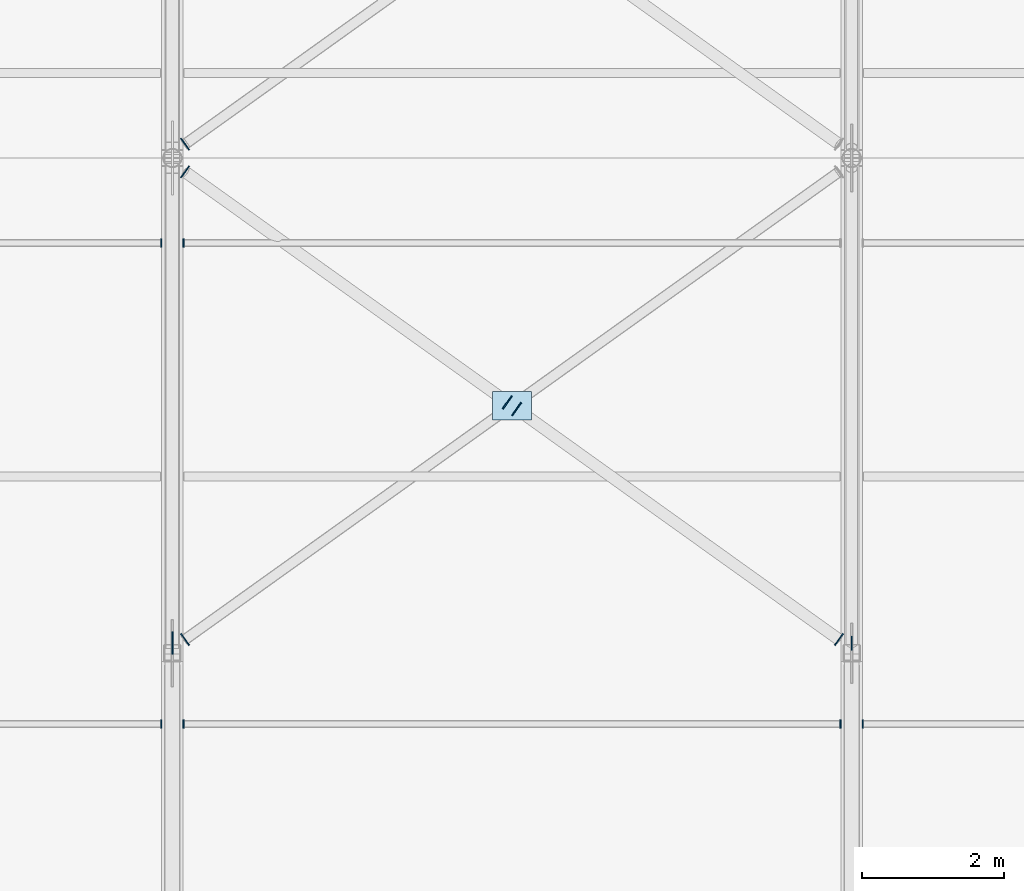
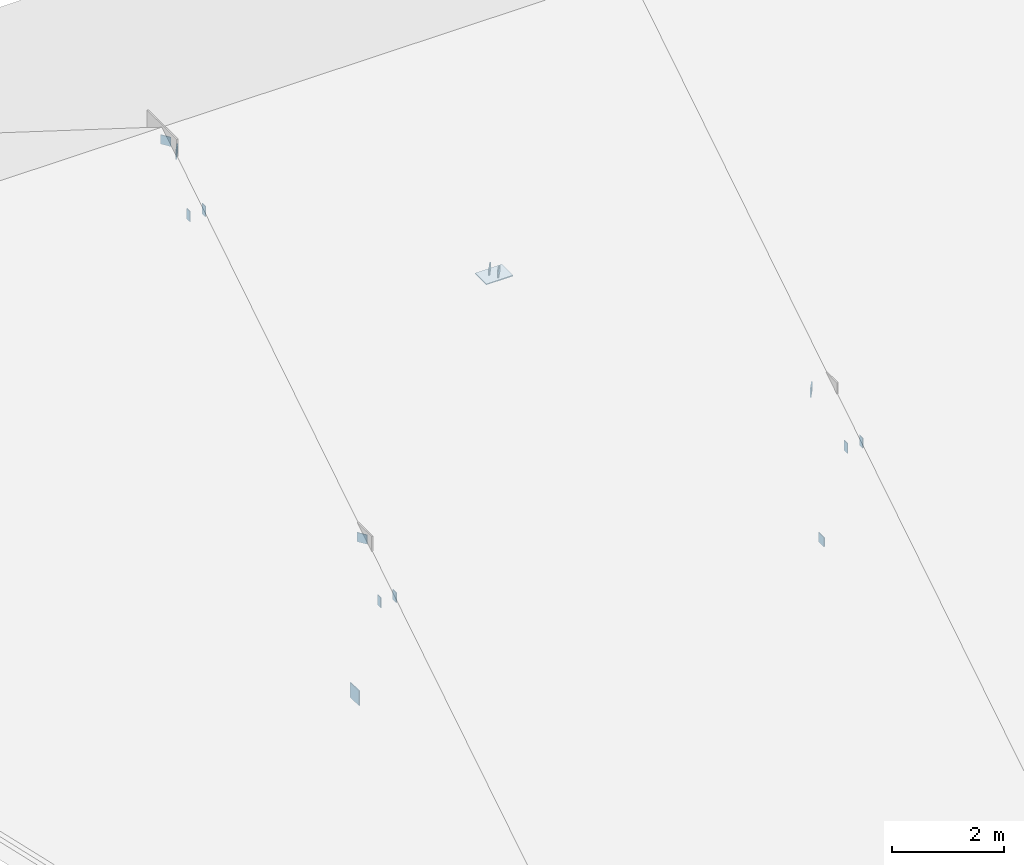
# One storey, part 40 of 66: 15 plates.
"""IFC4 building model written with IfcOpenShell, lengths in metres."""

from ifc_helpers import new_model, si_unit, direction, frame, origin, origin_2d, place, context, subcontext, project, spatial, rectangle, extrude, material, layer, layer_set, type_object, element, save


model = new_model("IFC4")

# Units and contexts
model_context = context("Model", 3, precision=1e-05, world=origin(), true_north=direction((0.0, 1.0)))
body_context = subcontext(model_context, "Body", "Model", "MODEL_VIEW")
ifc_project = project(units=[si_unit("LENGTHUNIT", "METRE"), si_unit("AREAUNIT", "SQUARE_METRE"), si_unit("VOLUMEUNIT", "CUBIC_METRE"), si_unit("PLANEANGLEUNIT", "RADIAN"), si_unit("MASSUNIT", "GRAM", prefix="KILO")], contexts=[model_context])

# Site, building, storey
site_placement = place(None, origin())
site = spatial("IfcSite", under=ifc_project, at=site_placement, CompositionType="ELEMENT")
building_placement = place(site_placement, origin())
building = spatial("IfcBuilding", under=site, at=building_placement, Name="Yeouljin Market Hall", CompositionType="ELEMENT")
storey_placement = place(building_placement, frame((0.0, 0.0, 23.39990234375)))
storey = spatial("IfcBuildingStorey", under=building, at=storey_placement, Name="RF", CompositionType="ELEMENT", Elevation=23.39990234375)

# Plates
ifc_material_1 = material(Name="Steel SM355", Category="steel")
ifc_layer_1 = layer(ifc_material_1, 0.01611328125)
ifc_layer_set_1 = layer_set([ifc_layer_1], Name="Steel SM355")
plate_type_1 = type_object("IfcPlateType", Name="CapPlate_200x200x16", PredefinedType="SHEET", material=ifc_layer_set_1)
for number, where, z_axis, x_axis, name in (
    (1, (73.800048828125, 50.144287109375, -7.078125), (0.0, 0.0, 1.0), (0.0, 1.0, 0.0), "Hollow web end-cap plate 0018"),
    (2, (64.3798828125, 50.19580078125, -3.78271484375), (0.0, 0.0, 1.0), (-0.581697151818, 0.813405448449, 0.0), "Wind brace end-cap plate 0121"),
    (3, (64.3798828125, 56.80419921875, 0.623046875), (0.0, 0.0, 1.0), (0.581697151818, 0.813405448449, 0.0), "Wind brace end-cap plate 0123"),
    (4, (73.6201171875, 50.19580078125, -3.78271484375), (0.0, 0.0, 1.0), (0.581697151818, 0.813405448449, 0.0), "Wind brace end-cap plate 0126"),
    (5, (64.3798828125, 57.19580078125, 0.623046875), (0.0, 0.0, 1.0), (-0.581697151818, 0.813405448449, 0.0), "Wind brace end-cap plate 0127"),
):
    element("IfcPlate", number, at=place(storey_placement, frame(where, z_axis=z_axis, x_axis=x_axis)), inside=storey, type_object=plate_type_1, Name=name, PredefinedType="SHEET", context=body_context, shape_type="SweptSolid", body=[
        extrude(rectangle(XDim=0.199951171875, YDim=0.01611328125, at=origin_2d()), origin(), (0.0, 0.0, 1.0), 0.199951171875),
    ])
ifc_material_2 = material(Name="Steel SM355", Category="steel")
ifc_layer_2 = layer(ifc_material_2, 0.01611328125)
ifc_layer_set_2 = layer_set([ifc_layer_2], Name="Steel SM355")
plate_type_2 = type_object("IfcPlateType", Name="CapPlate_220x120x16", PredefinedType="SHEET", material=ifc_layer_set_2)
for number, where, z_axis, x_axis, name in (
    (6, (64.0419921875, 49.0, -4.318359375), (0.0, 0.0, 1.0), (0.0, 1.0, 0.0), "Purlin end-cap plate 0100"),
    (7, (64.0419921875, 55.800048828125, -0.0439453125), (0.0, 0.0, 1.0), (0.0, 1.0, 0.0), "Purlin end-cap plate 0102"),
    (8, (64.35791015625, 49.0, -4.318359375), (0.0, 0.0, 1.0), (0.0, 1.0, 0.0), "Purlin end-cap plate 0111"),
    (9, (73.64208984375, 49.0, -4.318359375), (0.0, 0.0, 1.0), (0.0, 1.0, 0.0), "Purlin end-cap plate 0112"),
    (10, (64.35791015625, 55.800048828125, -0.0439453125), (0.0, 0.0, 1.0), (0.0, 1.0, 0.0), "Purlin end-cap plate 0113"),
):
    element("IfcPlate", number, at=place(storey_placement, frame(where, z_axis=z_axis, x_axis=x_axis)), inside=storey, type_object=plate_type_2, Name=name, PredefinedType="SHEET", context=body_context, shape_type="SweptSolid", body=[
        extrude(rectangle(XDim=0.1201171875, YDim=0.01611328125, at=origin_2d()), origin(), (0.0, 0.0, 1.0), 0.219970703125),
    ])
for number, where, z_axis, x_axis, name in (
    (11, (68.93408203125, 53.547119140625, -1.508544921875), (0.0, 0.0, 1.0), (0.581697151818, 0.813405448449, 0.0), "Wind brace end-cap plate 0124"),
    (12, (69.06591796875, 53.452880859375, -1.554931640625), (0.0, 0.0, 1.0), (0.581697151818, 0.813405448449, 0.0), "Wind brace end-cap plate 0125"),
):
    element("IfcPlate", number, at=place(storey_placement, frame(where, z_axis=z_axis, x_axis=x_axis)), inside=storey, type_object=plate_type_2, Name=name, PredefinedType="SHEET", context=body_context, shape_type="SweptSolid", body=[
        extrude(rectangle(XDim=0.219970703125, YDim=0.01611328125, at=origin_2d()), origin(), (0.0, 0.0, 1.0), 0.1201171875),
    ])
plate_1_placement = place(storey_placement, frame((73.9580078125, 49.0, -4.318359375), z_axis=(0.0, 0.0, 1.0), x_axis=(0.0, 1.0, 0.0)))
element("IfcPlate", 13, at=plate_1_placement, inside=storey, type_object=plate_type_2, Name="Purlin end-cap plate 0135", PredefinedType="SHEET", context=body_context, shape_type="SweptSolid", body=[
    extrude(rectangle(XDim=0.1201171875, YDim=0.01611328125, at=origin_2d()), origin(), (0.0, 0.0, 1.0), 0.219970703125),
])
ifc_material_3 = material(Name="Steel SM355", Category="steel")
ifc_layer_3 = layer(ifc_material_3, 0.02001953125)
ifc_layer_set_3 = layer_set([ifc_layer_3], Name="Steel SM355")
plate_type_3 = type_object("IfcPlateType", Name="CapPlate_320x320x20", PredefinedType="SHEET", material=ifc_layer_set_3)
plate_2_placement = place(storey_placement, frame((64.199951171875, 50.144287109375, -7.13818359375), z_axis=(0.0, 0.0, 1.0), x_axis=(0.0, 1.0, 0.0)))
element("IfcPlate", 14, at=plate_2_placement, inside=storey, type_object=plate_type_3, Name="Hollow web end-cap plate 0014", PredefinedType="SHEET", context=body_context, shape_type="SweptSolid", body=[
    extrude(rectangle(XDim=0.320068359375, YDim=0.02001953125, at=origin_2d()), origin(), (0.0, 0.0, 1.0), 0.320068359375),
])
ifc_material_4 = material(Name="Steel SM355", Category="steel")
ifc_layer_4 = layer(ifc_material_4, 0.02001953125)
ifc_layer_set_4 = layer_set([ifc_layer_4], Name="Steel SM355")
plate_type_4 = type_object("IfcPlateType", Name="GussetPlate_550x400x20", PredefinedType="USERDEFINED", material=ifc_layer_set_4)
plate_3_placement = place(storey_placement, frame((69.0, 53.5, -1.579833984375), z_axis=(0.0, 0.0, 1.0), x_axis=(1.0, 0.0, 0.0)))
element("IfcPlate", 15, at=plate_3_placement, inside=storey, type_object=plate_type_4, Name="X-brace crossing node gusset plate 003", ObjectType="GUSSET PLATE", PredefinedType="USERDEFINED", context=body_context, shape_type="SweptSolid", body=[
    extrude(rectangle(XDim=0.550048828125, YDim=0.39990234375, at=origin_2d()), origin(), (0.0, 0.0, 1.0), 0.02001953125),
])

save(model, "model.ifc")
